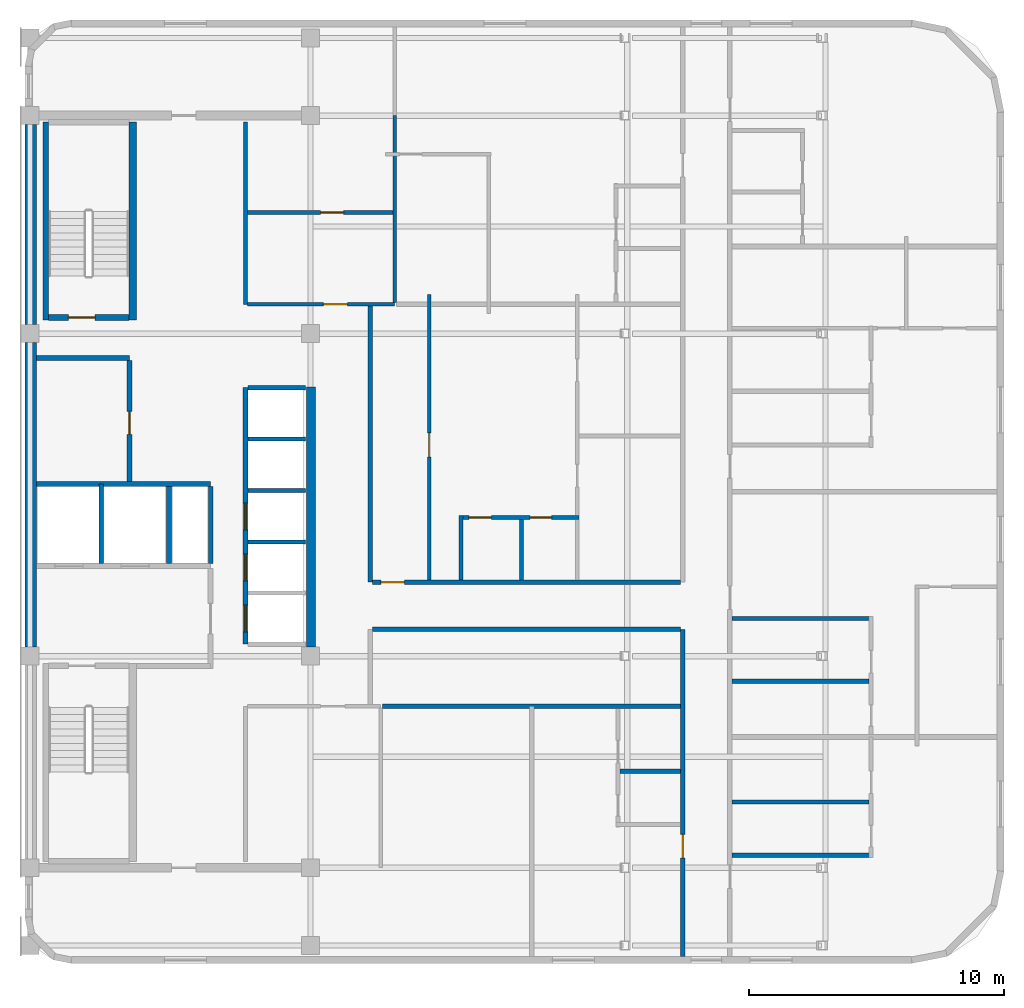
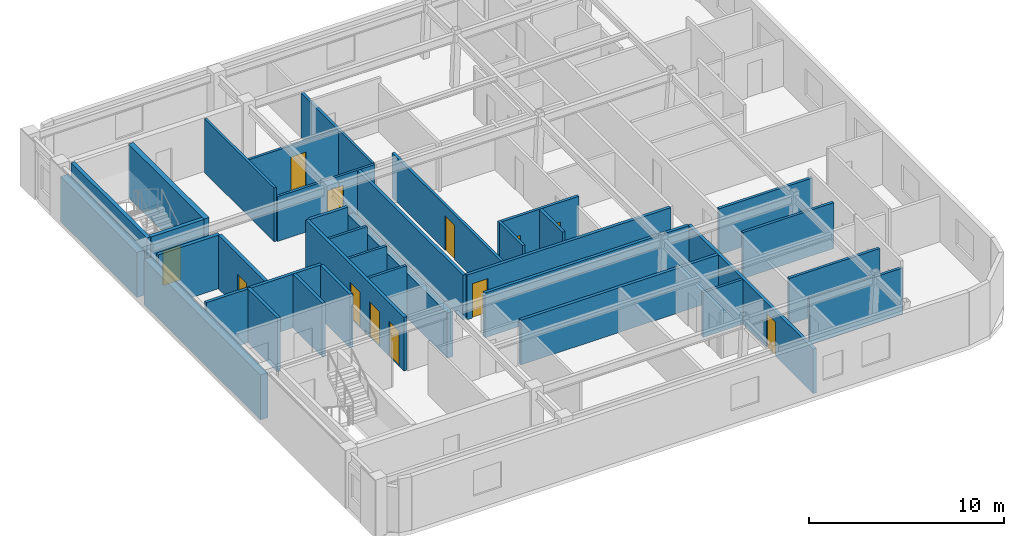
# One storey, part 3 of 7: 35 walls, 12 doors, 12 openings.
"""IFC4 building model written with IfcOpenShell, lengths in metres."""

from ifc_helpers import new_model, si_unit, direction, frame, frame_2d, origin, place, context, subcontext, project, spatial, rectangle, extrude, material, layer, layer_set, type_object, element, fill, save


model = new_model("IFC4")

# Units and contexts
model_context = context("Model", 3, precision=1e-05, world=origin(), true_north=direction((0.0, 1.0)))
body_context = subcontext(model_context, "Body", "Model", "MODEL_VIEW")
ifc_project = project(units=[si_unit("LENGTHUNIT", "METRE"), si_unit("AREAUNIT", "SQUARE_METRE"), si_unit("VOLUMEUNIT", "CUBIC_METRE"), si_unit("PLANEANGLEUNIT", "RADIAN"), si_unit("MASSUNIT", "GRAM", prefix="KILO")], contexts=[model_context])

# Site, building, storey
site_placement = place(None, origin())
site = spatial("IfcSite", under=ifc_project, at=site_placement, CompositionType="ELEMENT")
building_placement = place(site_placement, origin())
building = spatial("IfcBuilding", under=site, at=building_placement, Name="Ochreholt Gables", CompositionType="ELEMENT")
storey_placement = place(building_placement, frame((0.0, 0.0, 216.60009765625)))
storey = spatial("IfcBuildingStorey", under=building, at=storey_placement, Name="L56", CompositionType="ELEMENT", Elevation=216.60009765625)

# Walls
ifc_material_1 = material(Name="Concrete 50 MPa", Category="concrete")
ifc_layer_1 = layer(ifc_material_1, 0.35009765625, Name="Concrete 50 MPa")
ifc_layer_set_1 = layer_set([ifc_layer_1], Name="Concrete 50 MPa")
wall_type_1 = type_object("IfcWallType", Name="WALL-CSW-350", PredefinedType="SHEAR", material=ifc_layer_set_1)
wall_1_placement = place(storey_placement, frame((35.22509765625, 17.89990234375, 0.0), z_axis=(0.0, 0.0, 1.0), x_axis=(0.0, 1.0, 0.0)))
element("IfcWall", 1, at=wall_1_placement, inside=storey, type_object=wall_type_1, Name="L56 Core Central-East Shear Wall", PredefinedType="SHEAR", context=body_context, shape_type="SweptSolid", body=[
    extrude(rectangle(XDim=10.2001953125, YDim=0.35009765625, at=frame_2d((5.10009765625, 0.0))), origin(), (0.0, 0.0, 1.0), 2.82080078125),
])
ifc_layer_2 = layer(ifc_material_1, 0.449951171875, Name="Concrete 50 MPa")
ifc_layer_set_2 = layer_set([ifc_layer_2], Name="Concrete 50 MPa")
wall_type_2 = type_object("IfcWallType", Name="WALL-CSW-EXT", PredefinedType="SHEAR", material=ifc_layer_set_2)
wall_2_placement = place(storey_placement, frame((24.22509765625, 17.89990234375, 0.0), z_axis=(0.0, 0.0, 1.0), x_axis=(0.0, 1.0, 0.0)))
element("IfcWall", 2, at=wall_2_placement, inside=storey, type_object=wall_type_2, Name="L56 Core West Shear Wall WM", PredefinedType="SHEAR", context=body_context, shape_type="SweptSolid", body=[
    extrude(rectangle(XDim=11.9501953125, YDim=0.449951171875, at=frame_2d((5.97509765625, 0.0))), origin(), (0.0, 0.0, 1.0), 2.82080078125),
])
wall_3_placement = place(storey_placement, frame((24.22509765625, 30.550048828125, 0.0), z_axis=(0.0, 0.0, 1.0), x_axis=(0.0, 1.0, 0.0)))
element("IfcWall", 3, at=wall_3_placement, inside=storey, type_object=wall_type_2, Name="L56 Core West Shear Wall WN", PredefinedType="SHEAR", context=body_context, shape_type="SweptSolid", body=[
    extrude(rectangle(XDim=7.849853515625, YDim=0.449951171875, at=frame_2d((3.9248046875, 0.0))), origin(), (0.0, 0.0, 1.0), 2.82080078125),
])
ifc_material_2 = material(Name="Concrete 40 MPa", Category="concrete")
ifc_layer_3 = layer(ifc_material_2, 0.199951171875, Name="Concrete 40 MPa")
ifc_layer_set_3 = layer_set([ifc_layer_3], Name="Concrete 40 MPa")
wall_type_3 = type_object("IfcWallType", Name="WALL-INT-CF200", PredefinedType="STANDARD", material=ifc_layer_set_3)
wall_4_placement = place(storey_placement, frame((24.449951171875, 29.239990234375, 0.0), z_axis=(0.0, 0.0, 1.0), x_axis=(1.0, 0.0, 0.0)))
element("IfcWall", 4, at=wall_4_placement, inside=storey, type_object=wall_type_3, Name="L56 Interior Wall WI-SRVN-L56", PredefinedType="STANDARD", context=body_context, shape_type="SweptSolid", body=[
    extrude(rectangle(XDim=3.650146484375, YDim=0.199951171875, at=frame_2d((1.8251953125, 0.0))), origin(), (0.0, 0.0, 1.0), 3.35986328125),
])

# Wall, opening, door
wall_5_placement = place(storey_placement, frame((28.10009765625, 24.389892578125, 0.0), z_axis=(0.0, 0.0, 1.0), x_axis=(0.0, 1.0, 0.0)))
wall_5 = element("IfcWall", 5, at=wall_5_placement, inside=storey, type_object=wall_type_3, Name="L56 Interior Wall WI-SRVE-L56", PredefinedType="STANDARD", context=body_context, shape_type="SweptSolid", body=[
    extrude(rectangle(XDim=4.75, YDim=0.199951171875, at=frame_2d((2.375, 0.0))), origin(), (0.0, 0.0, 1.0), 3.35986328125),
])
opening_1_placement = place(wall_5_placement, frame((1.860107421875, 0.0, 0.0)))
opening_1 = element("IfcOpeningElement", 6, at=opening_1_placement, cuts=wall_5, Name="Opening D-SV1", PredefinedType="OPENING", context=body_context, shape_type="SweptSolid", body=[
    extrude(rectangle(XDim=0.89990234375, YDim=2.10009765625, at=frame_2d((0.449951171875, 1.050048828125))), frame((0.0, 0.10986328125, 0.0), z_axis=(0.0, -1.0, 0.0), x_axis=(1.0, 0.0, 0.0)), (0.0, 0.0, 1.0), 0.219970703125),
])
ifc_material_3 = material(Name="Hollow Metal Steel", Category="steel")
door_type_1 = type_object("IfcDoorType", Name="DR-INT-SRV900", OperationType="NOTDEFINED", PredefinedType="DOOR", material=ifc_material_3)
door_1_placement = place(opening_1_placement, origin())
door_1 = element("IfcDoor", 7, at=door_1_placement, inside=storey, type_object=door_type_1, Name="L56 Door D-SRV1-L56", OperationType="SINGLE_SWING_LEFT", OverallHeight=2.10009765625, OverallWidth=0.89990234375, PredefinedType="DOOR", context=body_context, shape_type="SweptSolid", body=[
    extrude(rectangle(XDim=0.89990234375, YDim=2.10009765625, at=frame_2d((0.449951171875, 1.050048828125))), frame((0.0, 0.02490234375, 0.0), z_axis=(0.0, -1.0, 0.0), x_axis=(1.0, 0.0, 0.0)), (0.0, 0.0, 1.0), 0.050048828125),
])
fill(opening_1, door_1)

# Wall
ifc_material_4 = material(Name="Fire-Rated Gypsum Acoustic Partition", Category="gypsum")
ifc_layer_4 = layer(ifc_material_4, 0.179931640625, Name="Fire-Rated Gypsum Acoustic Partition")
ifc_layer_set_4 = layer_set([ifc_layer_4], Name="Fire-Rated Gypsum Acoustic Partition")
wall_type_4 = type_object("IfcWallType", Name="WALL-INT-CR180", PredefinedType="STANDARD", material=ifc_layer_set_4)
wall_6_placement = place(storey_placement, frame((37.550048828125, 20.449951171875, 0.0), z_axis=(0.0, 0.0, 1.0), x_axis=(0.0, 1.0, 0.0)))
element("IfcWall", 8, at=wall_6_placement, inside=storey, type_object=wall_type_4, Name="L56 Interior Wall WI-C3CE2-L56", PredefinedType="STANDARD", context=body_context, shape_type="SweptSolid", body=[
    extrude(rectangle(XDim=10.82763671875, YDim=0.179931640625, at=frame_2d((5.413818359375, 0.0))), origin(), (0.0, 0.0, 1.0), 2.802978515625),
])

# Wall, opening, door
wall_7_placement = place(storey_placement, frame((49.800048828125, 5.77001953125, 0.0), z_axis=(0.0, 0.0, 1.0), x_axis=(0.0, 1.0, 0.0)))
wall_7 = element("IfcWall", 9, at=wall_7_placement, inside=storey, type_object=wall_type_4, Name="L56 Interior Wall WI-C3GW0-L56", PredefinedType="STANDARD", context=body_context, shape_type="SweptSolid", body=[
    extrude(rectangle(XDim=12.830078125, YDim=0.179931640625, at=frame_2d((6.4150390625, 0.0))), origin(), (0.0, 0.0, 1.0), 2.802978515625),
])
opening_2_placement = place(wall_7_placement, frame((3.8701171875, 0.0, 0.0)))
opening_2 = element("IfcOpeningElement", 10, at=opening_2_placement, cuts=wall_7, Name="Opening D-UN1", PredefinedType="OPENING", context=body_context, shape_type="SweptSolid", body=[
    extrude(rectangle(XDim=0.919921875, YDim=2.14990234375, at=frame_2d((0.4599609375, 1.074951171875))), frame((0.0, 0.099853515625, 0.0), z_axis=(0.0, -1.0, 0.0), x_axis=(1.0, 0.0, 0.0)), (0.0, 0.0, 1.0), 0.199951171875),
])
ifc_material_5 = material(Name="Engineered Oak Timber", Category="wood")
door_type_2 = type_object("IfcDoorType", Name="DR-INT-UNT920", OperationType="NOTDEFINED", PredefinedType="DOOR", material=ifc_material_5)
door_2_placement = place(opening_2_placement, origin())
door_2 = element("IfcDoor", 11, at=door_2_placement, inside=storey, type_object=door_type_2, Name="L56 Door D-U-L56SM1-ENT", OperationType="SINGLE_SWING_RIGHT", OverallHeight=2.14990234375, OverallWidth=0.919921875, PredefinedType="DOOR", context=body_context, shape_type="SweptSolid", body=[
    extrude(rectangle(XDim=0.919921875, YDim=2.14990234375, at=frame_2d((0.4599609375, 1.074951171875))), frame((0.0, 0.02490234375, 0.0), z_axis=(0.0, -1.0, 0.0), x_axis=(1.0, 0.0, 0.0)), (0.0, 0.0, 1.0), 0.050048828125),
])
fill(opening_2, door_2)

# Wall
wall_8_placement = place(storey_placement, frame((37.639892578125, 18.60009765625, 0.0), z_axis=(0.0, 0.0, 1.0), x_axis=(1.0, 0.0, 0.0)))
element("IfcWall", 12, at=wall_8_placement, inside=storey, type_object=wall_type_4, Name="L56 Interior Wall WI-C3BRS1-L56", PredefinedType="STANDARD", context=body_context, shape_type="SweptSolid", body=[
    extrude(rectangle(XDim=12.070068359375, YDim=0.179931640625, at=frame_2d((6.03515625, 0.0))), origin(), (0.0, 0.0, 1.0), 2.802978515625),
])

# Wall, opening, door
wall_9_placement = place(storey_placement, frame((37.639892578125, 20.449951171875, 0.0), z_axis=(0.0, 0.0, 1.0), x_axis=(1.0, 0.0, 0.0)))
wall_9 = element("IfcWall", 13, at=wall_9_placement, inside=storey, type_object=wall_type_4, Name="L56 Interior Wall WI-C3BRN1-L56", PredefinedType="STANDARD", context=body_context, shape_type="SweptSolid", body=[
    extrude(rectangle(XDim=12.070068359375, YDim=0.179931640625, at=frame_2d((6.03515625, 0.0))), origin(), (0.0, 0.0, 1.0), 2.802978515625),
])
opening_3_placement = place(wall_9_placement, frame((0.320068359375, 0.0, 0.0)))
opening_3 = element("IfcOpeningElement", 14, at=opening_3_placement, cuts=wall_9, Name="Opening D-UN1", PredefinedType="OPENING", context=body_context, shape_type="SweptSolid", body=[
    extrude(rectangle(XDim=0.919921875, YDim=2.14990234375, at=frame_2d((0.4599609375, 1.074951171875))), frame((0.0, 0.099853515625, 0.0), z_axis=(0.0, -1.0, 0.0), x_axis=(1.0, 0.0, 0.0)), (0.0, 0.0, 1.0), 0.199951171875),
])
door_3_placement = place(opening_3_placement, origin())
door_3 = element("IfcDoor", 15, at=door_3_placement, inside=storey, type_object=door_type_2, Name="L56 Door D-U-L56NM1-ENT", OperationType="SINGLE_SWING_RIGHT", OverallHeight=2.14990234375, OverallWidth=0.919921875, PredefinedType="DOOR", context=body_context, shape_type="SweptSolid", body=[
    extrude(rectangle(XDim=0.919921875, YDim=2.14990234375, at=frame_2d((0.4599609375, 1.074951171875))), frame((0.0, 0.02490234375, 0.0), z_axis=(0.0, -1.0, 0.0), x_axis=(1.0, 0.0, 0.0)), (0.0, 0.0, 1.0), 0.050048828125),
])
fill(opening_3, door_3)

# Walls
ifc_material_6 = material(Name="Double-Stud Acoustic Demising Wall", Category="gypsum")
ifc_layer_5 = layer(ifc_material_6, 0.18505859375, Name="Double-Stud Acoustic Demising Wall")
ifc_layer_set_5 = layer_set([ifc_layer_5], Name="Double-Stud Acoustic Demising Wall")
wall_type_5 = type_object("IfcWallType", Name="WALL-INT-DM185", PredefinedType="PARTITIONING", material=ifc_layer_set_5)
wall_10_placement = place(storey_placement, frame((38.0224609375, 15.580078125, 0.0), z_axis=(0.0, 0.0, 1.0), x_axis=(1.0, 0.0, 0.0)))
element("IfcWall", 16, at=wall_10_placement, inside=storey, type_object=wall_type_5, Name="L56 Interior Wall WI-C3SMY-L56", PredefinedType="PARTITIONING", context=body_context, shape_type="SweptSolid", body=[
    extrude(rectangle(XDim=11.6875, YDim=0.18505859375, at=frame_2d((5.84375, 0.0))), origin(), (0.0, 0.0, 1.0), 2.802978515625),
])
ifc_material_7 = material(Name="Moisture-Resistant Plumbing Chase Wall", Category="gypsum")
ifc_layer_6 = layer(ifc_material_7, 0.159912109375, Name="Moisture-Resistant Plumbing Chase Wall")
ifc_layer_set_6 = layer_set([ifc_layer_6], Name="Moisture-Resistant Plumbing Chase Wall")
wall_type_6 = type_object("IfcWallType", Name="WALL-INT-PL160", PredefinedType="PLUMBINGWALL", material=ifc_layer_set_6)
wall_11_placement = place(storey_placement, frame((51.739990234375, 9.739990234375, 0.0), z_axis=(0.0, 0.0, 1.0), x_axis=(1.0, 0.0, 0.0)))
element("IfcWall", 17, at=wall_11_placement, inside=storey, type_object=wall_type_6, Name="L56 Interior Wall WU-L56E1-WYS", PredefinedType="PLUMBINGWALL", context=body_context, shape_type="SweptSolid", body=[
    extrude(rectangle(XDim=5.530029296875, YDim=0.159912109375, at=frame_2d((2.76513671875, 0.0))), origin(), (0.0, 0.0, 1.0), 2.87890625),
])
wall_12_placement = place(storey_placement, frame((51.739990234375, 11.8330078125, 0.0), z_axis=(0.0, 0.0, 1.0), x_axis=(1.0, 0.0, 0.0)))
element("IfcWall", 18, at=wall_12_placement, inside=storey, type_object=wall_type_6, Name="L56 Interior Wall WU-L56E1-WM", PredefinedType="PLUMBINGWALL", context=body_context, shape_type="SweptSolid", body=[
    extrude(rectangle(XDim=5.3701171875, YDim=0.159912109375, at=frame_2d((2.68505859375, 0.0))), origin(), (0.0, 0.0, 1.0), 2.87890625),
])
wall_13_placement = place(storey_placement, frame((51.739990234375, 19.02001953125, 0.0), z_axis=(0.0, 0.0, 1.0), x_axis=(1.0, 0.0, 0.0)))
element("IfcWall", 19, at=wall_13_placement, inside=storey, type_object=wall_type_6, Name="L56 Interior Wall WU-L56E2-WYN", PredefinedType="PLUMBINGWALL", context=body_context, shape_type="SweptSolid", body=[
    extrude(rectangle(XDim=5.530029296875, YDim=0.159912109375, at=frame_2d((2.76513671875, 0.0))), origin(), (0.0, 0.0, 1.0), 2.87890625),
])
wall_14_placement = place(storey_placement, frame((51.739990234375, 16.56298828125, 0.0), z_axis=(0.0, 0.0, 1.0), x_axis=(1.0, 0.0, 0.0)))
element("IfcWall", 20, at=wall_14_placement, inside=storey, type_object=wall_type_6, Name="L56 Interior Wall WU-L56E2-WM", PredefinedType="PLUMBINGWALL", context=body_context, shape_type="SweptSolid", body=[
    extrude(rectangle(XDim=5.3701171875, YDim=0.159912109375, at=frame_2d((2.68505859375, 0.0))), origin(), (0.0, 0.0, 1.0), 2.87890625),
])
wall_15_placement = place(storey_placement, frame((47.340087890625, 13.032958984375, 0.0), z_axis=(0.0, 0.0, 1.0), x_axis=(1.0, 0.0, 0.0)))
element("IfcWall", 21, at=wall_15_placement, inside=storey, type_object=wall_type_6, Name="L56 Interior Wall WU-L56SM1-WM", PredefinedType="PLUMBINGWALL", context=body_context, shape_type="SweptSolid", body=[
    extrude(rectangle(XDim=2.369873046875, YDim=0.159912109375, at=frame_2d((1.18505859375, 0.0))), origin(), (0.0, 0.0, 1.0), 2.802978515625),
])

# Wall, openings, doors
wall_16_placement = place(storey_placement, frame((41.030029296875, 22.989990234375, 0.0), z_axis=(0.0, 0.0, 1.0), x_axis=(1.0, 0.0, 0.0)))
wall_16 = element("IfcWall", 22, at=wall_16_placement, inside=storey, type_object=wall_type_6, Name="L56 Interior Wall WU-L56NM1-WY", PredefinedType="PLUMBINGWALL", context=body_context, shape_type="SweptSolid", body=[
    extrude(rectangle(XDim=4.7099609375, YDim=0.159912109375, at=frame_2d((2.35498046875, 0.0))), origin(), (0.0, 0.0, 1.0), 3.35986328125),
])
opening_4_placement = place(wall_16_placement, frame((0.3798828125, 0.0, 0.0)))
opening_4 = element("IfcOpeningElement", 23, at=opening_4_placement, cuts=wall_16, Name="Opening D-GN2", PredefinedType="OPENING", context=body_context, shape_type="SweptSolid", body=[
    extrude(rectangle(XDim=0.8798828125, YDim=2.1201171875, at=frame_2d((0.43994140625, 1.06005859375))), frame((0.0, 0.08984375, 0.0), z_axis=(0.0, -1.0, 0.0), x_axis=(1.0, 0.0, 0.0)), (0.0, 0.0, 1.0), 0.179931640625),
])
opening_5_placement = place(wall_16_placement, frame((2.785888671875, 0.0, 0.0)))
opening_5 = element("IfcOpeningElement", 24, at=opening_5_placement, cuts=wall_16, Name="Opening D-BT2", PredefinedType="OPENING", context=body_context, shape_type="SweptSolid", body=[
    extrude(rectangle(XDim=0.840087890625, YDim=2.1201171875, at=frame_2d((0.419921875, 1.06005859375))), frame((0.0, 0.08984375, 0.0), z_axis=(0.0, -1.0, 0.0), x_axis=(1.0, 0.0, 0.0)), (0.0, 0.0, 1.0), 0.179931640625),
])
door_type_3 = type_object("IfcDoorType", Name="DR-INT-BTH840", OperationType="NOTDEFINED", PredefinedType="DOOR", material=ifc_material_5)
door_4_placement = place(opening_5_placement, origin())
door_4 = element("IfcDoor", 25, at=door_4_placement, inside=storey, type_object=door_type_3, Name="L56 Door D-U-L56NM1-BTH", OperationType="SINGLE_SWING_RIGHT", OverallHeight=2.1201171875, OverallWidth=0.840087890625, PredefinedType="DOOR", context=body_context, shape_type="SweptSolid", body=[
    extrude(rectangle(XDim=0.840087890625, YDim=2.1201171875, at=frame_2d((0.419921875, 1.06005859375))), frame((0.0, 0.02490234375, 0.0), z_axis=(0.0, -1.0, 0.0), x_axis=(1.0, 0.0, 0.0)), (0.0, 0.0, 1.0), 0.050048828125),
])
fill(opening_5, door_4)
door_type_4 = type_object("IfcDoorType", Name="DR-INT-GEN880", OperationType="NOTDEFINED", PredefinedType="DOOR", material=ifc_material_5)
door_5_placement = place(opening_4_placement, origin())
door_5 = element("IfcDoor", 26, at=door_5_placement, inside=storey, type_object=door_type_4, Name="L56 Door D-U-L56NM1-KIT", OperationType="SINGLE_SWING_LEFT", OverallHeight=2.1201171875, OverallWidth=0.8798828125, PredefinedType="DOOR", context=body_context, shape_type="SweptSolid", body=[
    extrude(rectangle(XDim=0.8798828125, YDim=2.1201171875, at=frame_2d((0.43994140625, 1.06005859375))), frame((0.0, 0.02490234375, 0.0), z_axis=(0.0, -1.0, 0.0), x_axis=(1.0, 0.0, 0.0)), (0.0, 0.0, 1.0), 0.050048828125),
])
fill(opening_4, door_5)

# Walls
wall_17_placement = place(storey_placement, frame((41.110107421875, 20.5400390625, 0.0), z_axis=(0.0, 0.0, 1.0), x_axis=(0.0, 1.0, 0.0)))
element("IfcWall", 27, at=wall_17_placement, inside=storey, type_object=wall_type_6, Name="L56 Interior Wall WU-L56NM1-FY", PredefinedType="PLUMBINGWALL", context=body_context, shape_type="SweptSolid", body=[
    extrude(rectangle(XDim=2.530029296875, YDim=0.159912109375, at=frame_2d((1.26513671875, 0.0))), origin(), (0.0, 0.0, 1.0), 3.35986328125),
])
wall_18_placement = place(storey_placement, frame((43.47607421875, 20.5400390625, 0.0), z_axis=(0.0, 0.0, 1.0), x_axis=(0.0, 1.0, 0.0)))
element("IfcWall", 28, at=wall_18_placement, inside=storey, type_object=wall_type_6, Name="L56 Interior Wall WU-L56NM1-WK", PredefinedType="PLUMBINGWALL", context=body_context, shape_type="SweptSolid", body=[
    extrude(rectangle(XDim=2.369873046875, YDim=0.159912109375, at=frame_2d((1.18505859375, 0.0))), origin(), (0.0, 0.0, 1.0), 3.35986328125),
])
ifc_material_8 = material(Name="Lightweight Stud Partition", Category="gypsum")
ifc_layer_7 = layer(ifc_material_8, 0.14501953125, Name="Lightweight Stud Partition")
ifc_layer_set_7 = layer_set([ifc_layer_7], Name="Lightweight Stud Partition")
wall_type_7 = type_object("IfcWallType", Name="WALL-INT-PT145", PredefinedType="PARTITIONING", material=ifc_layer_set_7)
wall_19_placement = place(storey_placement, frame((32.64990234375, 31.35009765625, 0.0), z_axis=(0.0, 0.0, 1.0), x_axis=(0.0, 1.0, 0.0)))
element("IfcWall", 29, at=wall_19_placement, inside=storey, type_object=wall_type_7, Name="L56 Interior Wall WI-RCM-W-L56", PredefinedType="PARTITIONING", context=body_context, shape_type="SweptSolid", body=[
    extrude(rectangle(XDim=7.14990234375, YDim=0.14501953125, at=frame_2d((3.574951171875, 0.0))), origin(), (0.0, 0.0, 1.0), 3.35986328125),
])

# Wall, opening, door
wall_20_placement = place(storey_placement, frame((32.722412109375, 31.35009765625, 0.0), z_axis=(0.0, 0.0, 1.0), x_axis=(1.0, 0.0, 0.0)))
wall_20 = element("IfcWall", 30, at=wall_20_placement, inside=storey, type_object=wall_type_7, Name="L56 Interior Wall WI-RCM-S-L56", PredefinedType="PARTITIONING", context=body_context, shape_type="SweptSolid", body=[
    extrude(rectangle(XDim=5.777587890625, YDim=0.14501953125, at=frame_2d((2.888671875, 0.0))), origin(), (0.0, 0.0, 1.0), 2.802978515625),
])
opening_6_placement = place(wall_20_placement, frame((2.9775390625, 0.0, 0.0)))
opening_6 = element("IfcOpeningElement", 31, at=opening_6_placement, cuts=wall_20, Name="Opening D-GN1", PredefinedType="OPENING", context=body_context, shape_type="SweptSolid", body=[
    extrude(rectangle(XDim=0.949951171875, YDim=2.14990234375, at=frame_2d((0.47509765625, 1.074951171875))), frame((0.0, 0.08251953125, 0.0), z_axis=(0.0, -1.0, 0.0), x_axis=(1.0, 0.0, 0.0)), (0.0, 0.0, 1.0), 0.1650390625),
])
door_type_5 = type_object("IfcDoorType", Name="DR-INT-GEN950", OperationType="NOTDEFINED", PredefinedType="DOOR", material=ifc_material_5)
door_6_placement = place(opening_6_placement, origin())
door_6 = element("IfcDoor", 32, at=door_6_placement, inside=storey, type_object=door_type_5, Name="L56 Door D-RCM-L56", OperationType="SINGLE_SWING_RIGHT", OverallHeight=2.14990234375, OverallWidth=0.949951171875, PredefinedType="DOOR", context=body_context, shape_type="SweptSolid", body=[
    extrude(rectangle(XDim=0.949951171875, YDim=2.14990234375, at=frame_2d((0.47509765625, 1.074951171875))), frame((0.0, 0.02490234375, 0.0), z_axis=(0.0, -1.0, 0.0), x_axis=(1.0, 0.0, 0.0)), (0.0, 0.0, 1.0), 0.050048828125),
])
fill(opening_6, door_6)

# Wall
wall_21_placement = place(storey_placement, frame((38.5, 31.422607421875, 0.0), z_axis=(0.0, 0.0, 1.0), x_axis=(0.0, 1.0, 0.0)))
element("IfcWall", 33, at=wall_21_placement, inside=storey, type_object=wall_type_7, Name="L56 Interior Wall WI-RCM-E-L56", PredefinedType="PARTITIONING", context=body_context, shape_type="SweptSolid", body=[
    extrude(rectangle(XDim=7.327392578125, YDim=0.14501953125, at=frame_2d((3.66357421875, 0.0))), origin(), (0.0, 0.0, 1.0), 2.802978515625),
])

# Wall, opening, door
wall_22_placement = place(storey_placement, frame((32.722412109375, 34.949951171875, 0.0), z_axis=(0.0, 0.0, 1.0), x_axis=(1.0, 0.0, 0.0)))
wall_22 = element("IfcWall", 34, at=wall_22_placement, inside=storey, type_object=wall_type_7, Name="L56 Interior Wall WI-RCM-DV-L56", PredefinedType="PARTITIONING", context=body_context, shape_type="SweptSolid", body=[
    extrude(rectangle(XDim=5.705078125, YDim=0.14501953125, at=frame_2d((2.8525390625, 0.0))), origin(), (0.0, 0.0, 1.0), 2.802978515625),
])
opening_7_placement = place(wall_22_placement, frame((2.87744140625, 0.0, 0.0)))
opening_7 = element("IfcOpeningElement", 35, at=opening_7_placement, cuts=wall_22, Name="Opening D-SV1", PredefinedType="OPENING", context=body_context, shape_type="SweptSolid", body=[
    extrude(rectangle(XDim=0.89990234375, YDim=2.10009765625, at=frame_2d((0.449951171875, 1.050048828125))), frame((0.0, 0.08251953125, 0.0), z_axis=(0.0, -1.0, 0.0), x_axis=(1.0, 0.0, 0.0)), (0.0, 0.0, 1.0), 0.1650390625),
])
door_7_placement = place(opening_7_placement, origin())
door_7 = element("IfcDoor", 36, at=door_7_placement, inside=storey, type_object=door_type_1, Name="L56 Door D-RCMI-L56", OperationType="SINGLE_SWING_LEFT", OverallHeight=2.10009765625, OverallWidth=0.89990234375, PredefinedType="DOOR", context=body_context, shape_type="SweptSolid", body=[
    extrude(rectangle(XDim=0.89990234375, YDim=2.10009765625, at=frame_2d((0.449951171875, 1.050048828125))), frame((0.0, 0.02490234375, 0.0), z_axis=(0.0, -1.0, 0.0), x_axis=(1.0, 0.0, 0.0)), (0.0, 0.0, 1.0), 0.050048828125),
])
fill(opening_7, door_7)

wall_23_placement = place(storey_placement, frame((39.860107421875, 20.5400390625, 0.0), z_axis=(0.0, 0.0, 1.0), x_axis=(0.0, 1.0, 0.0)))
wall_23 = element("IfcWall", 37, at=wall_23_placement, inside=storey, type_object=wall_type_7, Name="L56 Interior Wall WU-L56NM1-DNX", PredefinedType="PARTITIONING", context=body_context, shape_type="SweptSolid", body=[
    extrude(rectangle(XDim=11.199951171875, YDim=0.14501953125, at=frame_2d((5.60009765625, 0.0))), origin(), (0.0, 0.0, 1.0), 2.802978515625),
])
opening_8_placement = place(wall_23_placement, frame((4.820068359375, 0.0, 0.0)))
opening_8 = element("IfcOpeningElement", 38, at=opening_8_placement, cuts=wall_23, Name="Opening D-GN1", PredefinedType="OPENING", context=body_context, shape_type="SweptSolid", body=[
    extrude(rectangle(XDim=0.949951171875, YDim=2.14990234375, at=frame_2d((0.47509765625, 1.074951171875))), frame((0.0, 0.08251953125, 0.0), z_axis=(0.0, -1.0, 0.0), x_axis=(1.0, 0.0, 0.0)), (0.0, 0.0, 1.0), 0.1650390625),
])
door_8_placement = place(opening_8_placement, origin())
door_8 = element("IfcDoor", 39, at=door_8_placement, inside=storey, type_object=door_type_5, Name="L56 Door D-U-L56NM1-DIN", OperationType="SINGLE_SWING_LEFT", OverallHeight=2.14990234375, OverallWidth=0.949951171875, PredefinedType="DOOR", context=body_context, shape_type="SweptSolid", body=[
    extrude(rectangle(XDim=0.949951171875, YDim=2.14990234375, at=frame_2d((0.47509765625, 1.074951171875))), frame((0.0, 0.02490234375, 0.0), z_axis=(0.0, -1.0, 0.0), x_axis=(1.0, 0.0, 0.0)), (0.0, 0.0, 1.0), 0.050048828125),
])
fill(opening_8, door_8)

# Walls
ifc_material_9 = material(Name="Gypsum Shaftliner and Steel Stud", Category="steel")
ifc_layer_8 = layer(ifc_material_9, 0.14990234375, Name="Gypsum Shaftliner and Steel Stud")
ifc_layer_set_8 = layer_set([ifc_layer_8], Name="Gypsum Shaftliner and Steel Stud")
wall_type_8 = type_object("IfcWallType", Name="WALL-INT-SH150", PredefinedType="STANDARD", material=ifc_layer_set_8)
for number, where, z_axis, x_axis, name in (
    (40, (32.739990234375, 22.02001953125, 0.0), (0.0, 0.0, 1.0), (1.0, 0.0, 0.0), "L56 Interior Wall WI-LFHE-DH2-L56"),
    (41, (32.739990234375, 24.050048828125, 0.0), (0.0, 0.0, 1.0), (1.0, 0.0, 0.0), "L56 Interior Wall WI-LFHE-DHE-L56"),
    (42, (32.739990234375, 26.070068359375, 0.0), (0.0, 0.0, 1.0), (1.0, 0.0, 0.0), "L56 Interior Wall WI-LFHE-DEX1-L56"),
):
    element("IfcWall", number, at=place(storey_placement, frame(where, z_axis=z_axis, x_axis=x_axis)), inside=storey, type_object=wall_type_8, Name=name, PredefinedType="STANDARD", context=body_context, shape_type="SweptSolid", body=[
        extrude(rectangle(XDim=2.260009765625, YDim=0.14990234375, at=frame_2d((1.1298828125, 0.0))), origin(), (0.0, 0.0, 1.0), 3.35986328125),
    ])
ifc_layer_9 = layer(ifc_material_9, 0.179931640625, Name="Gypsum Shaftliner and Steel Stud")
ifc_layer_set_9 = layer_set([ifc_layer_9], Name="Gypsum Shaftliner and Steel Stud")
wall_type_9 = type_object("IfcWallType", Name="WALL-INT-SH180", PredefinedType="STANDARD", material=ifc_layer_set_9)
wall_24_placement = place(storey_placement, frame((27.0, 21.18994140625, 0.0), z_axis=(0.0, 0.0, 1.0), x_axis=(0.0, 1.0, 0.0)))
element("IfcWall", 43, at=wall_24_placement, inside=storey, type_object=wall_type_9, Name="L56 Interior Wall WI-FFDIV-L56", PredefinedType="STANDARD", context=body_context, shape_type="SweptSolid", body=[
    extrude(rectangle(XDim=3.110107421875, YDim=0.179931640625, at=frame_2d((1.55517578125, 0.0))), origin(), (0.0, 0.0, 1.0), 3.35986328125),
])
wall_25_placement = place(storey_placement, frame((24.449951171875, 24.300048828125, 0.0), z_axis=(0.0, 0.0, 1.0), x_axis=(1.0, 0.0, 0.0)))
element("IfcWall", 44, at=wall_25_placement, inside=storey, type_object=wall_type_9, Name="L56 Interior Wall WI-FFBK-L56", PredefinedType="STANDARD", context=body_context, shape_type="SweptSolid", body=[
    extrude(rectangle(XDim=6.830078125, YDim=0.179931640625, at=frame_2d((3.4150390625, 0.0))), origin(), (0.0, 0.0, 1.0), 3.35986328125),
])
for number, where, z_axis, x_axis, name in (
    (45, (29.64990234375, 21.18994140625, 0.0), (0.0, 0.0, 1.0), (0.0, 1.0, 0.0), "L56 Interior Wall WI-FFSH-L56"),
    (46, (31.280029296875, 21.18994140625, 0.0), (0.0, 0.0, 1.0), (0.0, 1.0, 0.0), "L56 Interior Wall WI-RSE-L56"),
):
    element("IfcWall", number, at=place(storey_placement, frame(where, z_axis=z_axis, x_axis=x_axis)), inside=storey, type_object=wall_type_9, Name=name, PredefinedType="STANDARD", context=body_context, shape_type="SweptSolid", body=[
        extrude(rectangle(XDim=3.02001953125, YDim=0.179931640625, at=frame_2d((1.510009765625, 0.0))), origin(), (0.0, 0.0, 1.0), 3.35986328125),
    ])

# Wall, openings, doors
wall_26_placement = place(storey_placement, frame((32.64990234375, 18.02001953125, 0.0), z_axis=(0.0, 0.0, 1.0), x_axis=(0.0, 1.0, 0.0)))
wall_26 = element("IfcWall", 47, at=wall_26_placement, inside=storey, type_object=wall_type_9, Name="L56 Interior Wall WI-LFHE-FR-L56", PredefinedType="STANDARD", context=body_context, shape_type="SweptSolid", body=[
    extrude(rectangle(XDim=10.06005859375, YDim=0.179931640625, at=frame_2d((5.030029296875, 0.0))), origin(), (0.0, 0.0, 1.0), 3.35986328125),
])
opening_9_placement = place(wall_26_placement, frame((0.47998046875, 0.0, 0.0)))
opening_9 = element("IfcOpeningElement", 48, at=opening_9_placement, cuts=wall_26, Name="Opening LD-PX", PredefinedType="OPENING", context=body_context, shape_type="SweptSolid", body=[
    extrude(rectangle(XDim=1.050048828125, YDim=2.199951171875, at=frame_2d((0.52490234375, 1.10009765625))), frame((0.0, 0.099853515625, 0.0), z_axis=(0.0, -1.0, 0.0), x_axis=(1.0, 0.0, 0.0)), (0.0, 0.0, 1.0), 0.199951171875),
])
opening_10_placement = place(wall_26_placement, frame((2.47998046875, 0.0, 0.0)))
opening_10 = element("IfcOpeningElement", 49, at=opening_10_placement, cuts=wall_26, Name="Opening LD-PX", PredefinedType="OPENING", context=body_context, shape_type="SweptSolid", body=[
    extrude(rectangle(XDim=1.050048828125, YDim=2.199951171875, at=frame_2d((0.52490234375, 1.10009765625))), frame((0.0, 0.099853515625, 0.0), z_axis=(0.0, -1.0, 0.0), x_axis=(1.0, 0.0, 0.0)), (0.0, 0.0, 1.0), 0.199951171875),
])
opening_11_placement = place(wall_26_placement, frame((4.47998046875, 0.0, 0.0)))
opening_11 = element("IfcOpeningElement", 50, at=opening_11_placement, cuts=wall_26, Name="Opening LD-PX", PredefinedType="OPENING", context=body_context, shape_type="SweptSolid", body=[
    extrude(rectangle(XDim=1.050048828125, YDim=2.199951171875, at=frame_2d((0.52490234375, 1.10009765625))), frame((0.0, 0.099853515625, 0.0), z_axis=(0.0, -1.0, 0.0), x_axis=(1.0, 0.0, 0.0)), (0.0, 0.0, 1.0), 0.199951171875),
])
ifc_material_10 = material(Name="Stainless Steel", Category="steel")
door_type_6 = type_object("IfcDoorType", Name="DR-LFT-PX1050", OperationType="NOTDEFINED", PredefinedType="DOOR", material=ifc_material_10)
door_9_placement = place(opening_9_placement, origin())
door_9 = element("IfcDoor", 51, at=door_9_placement, inside=storey, type_object=door_type_6, Name="L56 Door LD-LF-H1-L56", OperationType="SLIDING_TO_LEFT", OverallHeight=2.199951171875, OverallWidth=1.050048828125, PredefinedType="DOOR", context=body_context, shape_type="SweptSolid", body=[
    extrude(rectangle(XDim=1.050048828125, YDim=2.199951171875, at=frame_2d((0.52490234375, 1.10009765625))), frame((0.0, 0.02490234375, 0.0), z_axis=(0.0, -1.0, 0.0), x_axis=(1.0, 0.0, 0.0)), (0.0, 0.0, 1.0), 0.050048828125),
])
fill(opening_9, door_9)
door_10_placement = place(opening_10_placement, origin())
door_10 = element("IfcDoor", 52, at=door_10_placement, inside=storey, type_object=door_type_6, Name="L56 Door LD-LF-H2-L56", OperationType="SLIDING_TO_LEFT", OverallHeight=2.199951171875, OverallWidth=1.050048828125, PredefinedType="DOOR", context=body_context, shape_type="SweptSolid", body=[
    extrude(rectangle(XDim=1.050048828125, YDim=2.199951171875, at=frame_2d((0.52490234375, 1.10009765625))), frame((0.0, 0.02490234375, 0.0), z_axis=(0.0, -1.0, 0.0), x_axis=(1.0, 0.0, 0.0)), (0.0, 0.0, 1.0), 0.050048828125),
])
fill(opening_10, door_10)
door_11_placement = place(opening_11_placement, origin())
door_11 = element("IfcDoor", 53, at=door_11_placement, inside=storey, type_object=door_type_6, Name="L56 Door LD-LF-H3-L56", OperationType="SLIDING_TO_LEFT", OverallHeight=2.199951171875, OverallWidth=1.050048828125, PredefinedType="DOOR", context=body_context, shape_type="SweptSolid", body=[
    extrude(rectangle(XDim=1.050048828125, YDim=2.199951171875, at=frame_2d((0.52490234375, 1.10009765625))), frame((0.0, 0.02490234375, 0.0), z_axis=(0.0, -1.0, 0.0), x_axis=(1.0, 0.0, 0.0)), (0.0, 0.0, 1.0), 0.050048828125),
])
fill(opening_11, door_11)

# Walls
wall_27_placement = place(storey_placement, frame((32.739990234375, 28.080078125, 0.0), z_axis=(0.0, 0.0, 1.0), x_axis=(1.0, 0.0, 0.0)))
element("IfcWall", 54, at=wall_27_placement, inside=storey, type_object=wall_type_9, Name="L56 Interior Wall WI-LFHE-N-L56", PredefinedType="STANDARD", context=body_context, shape_type="SweptSolid", body=[
    extrude(rectangle(XDim=2.260009765625, YDim=0.179931640625, at=frame_2d((1.1298828125, 0.0))), origin(), (0.0, 0.0, 1.0), 3.35986328125),
])
ifc_material_11 = material(Name="Concrete 60 MPa", Category="concrete")
ifc_layer_10 = layer(ifc_material_11, 0.300048828125, Name="Concrete 60 MPa")
ifc_layer_set_10 = layer_set([ifc_layer_10], Name="Concrete 60 MPa")
wall_type_10 = type_object("IfcWallType", Name="WALL-SPN-300", PredefinedType="SHEAR", material=ifc_layer_set_10)
wall_28_placement = place(storey_placement, frame((28.22998046875, 30.739990234375, 0.0), z_axis=(0.0, 0.0, 1.0), x_axis=(0.0, 1.0, 0.0)))
element("IfcWall", 55, at=wall_28_placement, inside=storey, type_object=wall_type_10, Name="L56 Core North Spine Shear Wall", PredefinedType="SHEAR", context=body_context, shape_type="SweptSolid", body=[
    extrude(rectangle(XDim=7.760009765625, YDim=0.300048828125, at=frame_2d((3.8798828125, 0.0))), origin(), (0.0, 0.0, 1.0), 3.35986328125),
])
ifc_layer_11 = layer(ifc_material_1, 0.219970703125, Name="Concrete 50 MPa")
ifc_layer_set_11 = layer_set([ifc_layer_11], Name="Concrete 50 MPa")
wall_type_11 = type_object("IfcWallType", Name="WALL-STW-220", PredefinedType="SHEAR", material=ifc_layer_set_11)
wall_29_placement = place(storey_placement, frame((24.81005859375, 30.739990234375, 0.0), z_axis=(0.0, 0.0, 1.0), x_axis=(0.0, 1.0, 0.0)))
element("IfcWall", 56, at=wall_29_placement, inside=storey, type_object=wall_type_11, Name="L56 Exit Stair 2 West Wall", PredefinedType="SHEAR", context=body_context, shape_type="SweptSolid", body=[
    extrude(rectangle(XDim=7.760009765625, YDim=0.219970703125, at=frame_2d((3.8798828125, 0.0))), origin(), (0.0, 0.0, 1.0), 3.35986328125),
])

# Wall, opening, door
wall_30_placement = place(storey_placement, frame((24.919921875, 30.830078125, 0.0), z_axis=(0.0, 0.0, 1.0), x_axis=(1.0, 0.0, 0.0)))
wall_30 = element("IfcWall", 57, at=wall_30_placement, inside=storey, type_object=wall_type_11, Name="L56 Exit Stair 2 South Wall", PredefinedType="SHEAR", context=body_context, shape_type="SweptSolid", body=[
    extrude(rectangle(XDim=3.16015625, YDim=0.219970703125, at=frame_2d((1.580078125, 0.0))), origin(), (0.0, 0.0, 1.0), 3.35986328125),
])
opening_12_placement = place(wall_30_placement, frame((0.780029296875, 0.0, 0.0)))
opening_12 = element("IfcOpeningElement", 58, at=opening_12_placement, cuts=wall_30, Name="Opening D-STC", PredefinedType="OPENING", context=body_context, shape_type="SweptSolid", body=[
    extrude(rectangle(XDim=1.050048828125, YDim=2.14990234375, at=frame_2d((0.52490234375, 1.074951171875))), frame((0.0, 0.119873046875, 0.0), z_axis=(0.0, -1.0, 0.0), x_axis=(1.0, 0.0, 0.0)), (0.0, 0.0, 1.0), 0.239990234375),
])
door_type_7 = type_object("IfcDoorType", Name="DR-INT-ST1050", OperationType="NOTDEFINED", PredefinedType="DOOR", material=ifc_material_3)
door_12_placement = place(opening_12_placement, origin())
door_12 = element("IfcDoor", 59, at=door_12_placement, inside=storey, type_object=door_type_7, Name="L56 Door D-ST2-L56", OperationType="SINGLE_SWING_RIGHT", OverallHeight=2.14990234375, OverallWidth=1.050048828125, PredefinedType="DOOR", context=body_context, shape_type="SweptSolid", body=[
    extrude(rectangle(XDim=1.050048828125, YDim=2.14990234375, at=frame_2d((0.52490234375, 1.074951171875))), frame((0.0, 0.02490234375, 0.0), z_axis=(0.0, -1.0, 0.0), x_axis=(1.0, 0.0, 0.0)), (0.0, 0.0, 1.0), 0.050048828125),
])
fill(opening_12, door_12)

save(model, "model.ifc")
